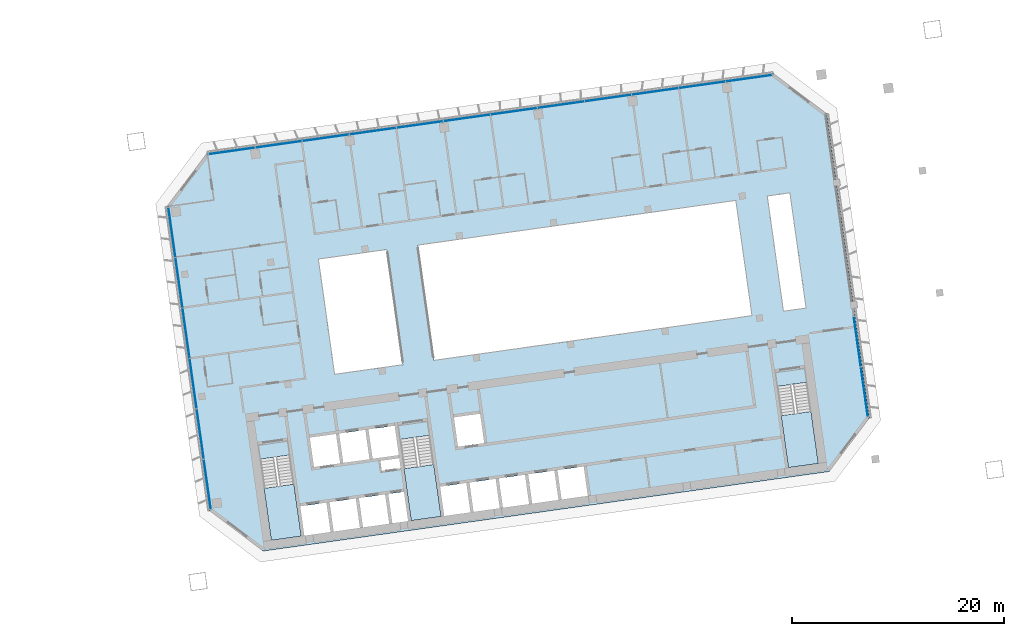
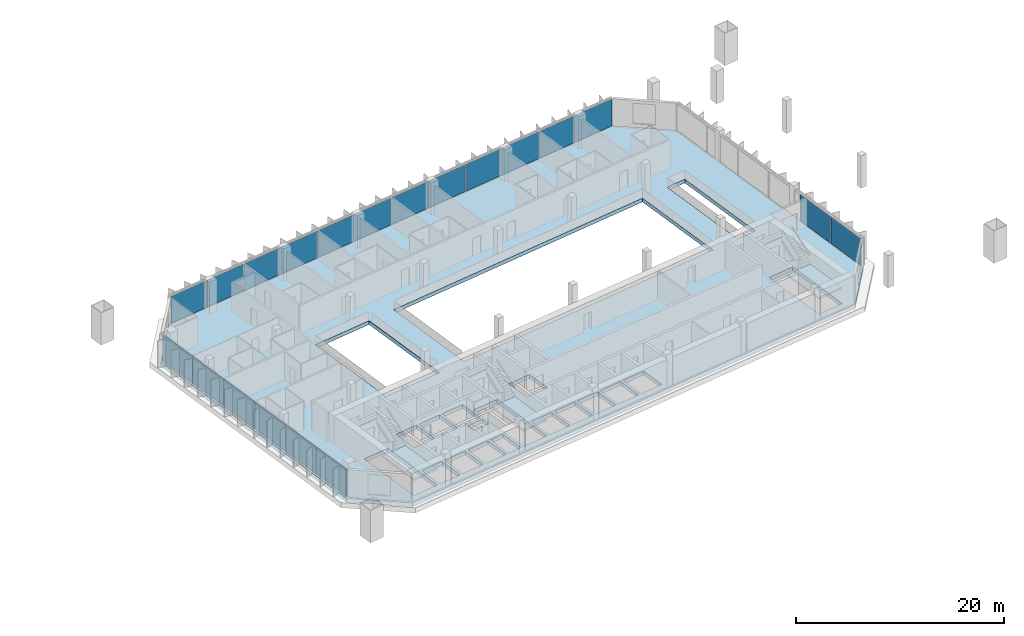
# One storey, part 14 of 26: 20 plates, 4 slabs, 6 elements without a shape of their own.
"""IFC4 building model written with IfcOpenShell, lengths in metres."""

import ifcopenshell
import ifcopenshell.guid

model = None  # the IFC model being written
_history = None  # IfcOwnerHistory: only IFC2X3 demands one
_inside = {}  # id of a spatial element -> (the spatial element, [elements in it])
_under = {}  # id of a project, library or spatial element -> (it, [spatial elements below it])
_declared = {}  # id of a project -> (the project, [libraries it declares])
_typed = {}  # id of a type object -> (the type object, [elements of that type])
_made_of = {}  # id of a material, layer set ... -> (it, [elements and type objects made of it])


def new_model(schema):
    """Start an empty IFC model of exactly this schema.

    Asked for "IFC4X3", IfcOpenShell would pick the latest addendum, in which some entities
    have other attributes; the version numbers below select the first issue.
    IFC2X3 requires an IfcOwnerHistory on every rooted entity: one is made here for all.
    """
    global model, _history
    if schema == "IFC4X3":
        model = ifcopenshell.file(schema_version=(4, 3, 0, 0))
    else:
        model = ifcopenshell.file(schema=schema)
    _inside.clear()
    _under.clear()
    _declared.clear()
    _typed.clear()
    _made_of.clear()
    _history = None
    if model.schema == "IFC2X3":
        org = make("IfcOrganization", Name="unknown")
        user = make(
            "IfcPersonAndOrganization",
            ThePerson=make("IfcPerson", FamilyName="unknown"),
            TheOrganization=org,
        )
        app = make(
            "IfcApplication",
            ApplicationDeveloper=org,
            Version="unknown",
            ApplicationFullName="unknown",
            ApplicationIdentifier="unknown",
        )
        _history = make(
            "IfcOwnerHistory",
            OwningUser=user,
            OwningApplication=app,
            ChangeAction="ADDED",
            CreationDate=0,
        )
    return model


def make(cls, **values):
    """One entity of the class cls with the attributes given. An attribute that is None is left unset."""
    return model.create_entity(
        cls, **{name: value for name, value in values.items() if value is not None}
    )


def rooted(cls, **values):
    """An entity with a GlobalId (a new one), such as an element, a storey or a relation."""
    return make(cls, GlobalId=ifcopenshell.guid.new(), OwnerHistory=_history, **values)


def si_unit(unit_type, name, prefix=None):
    """IfcSIUnit, for example si_unit("LENGTHUNIT", "METRE", prefix="MILLI")."""
    return make("IfcSIUnit", UnitType=unit_type, Prefix=prefix, Name=name)


def assignment(units):
    """IfcUnitAssignment: the units of a project."""
    return None if units is None else make("IfcUnitAssignment", Units=units)


def point(xyz):
    """IfcCartesianPoint."""
    return None if xyz is None else make("IfcCartesianPoint", Coordinates=xyz)


def direction(xyz):
    """IfcDirection."""
    return None if xyz is None else make("IfcDirection", DirectionRatios=xyz)


def frame(location, z_axis=None, x_axis=None):
    """IfcAxis2Placement3D, a coordinate frame: its origin and axes. An axis left out is left unset."""
    return make(
        "IfcAxis2Placement3D",
        Location=point(location),
        Axis=direction(z_axis),
        RefDirection=direction(x_axis),
    )


def frame_2d(location, x_axis=None):
    """IfcAxis2Placement2D, a coordinate frame in the plane: its origin and x axis."""
    return make(
        "IfcAxis2Placement2D", Location=point(location), RefDirection=direction(x_axis)
    )


def origin():
    """The frame at (0, 0, 0) with its axes left unset."""
    return frame((0.0, 0.0, 0.0))


def origin_2d():
    """The frame at (0, 0) in the plane with its x axis left unset."""
    return frame_2d((0.0, 0.0))


def place(relative_to, where):
    """IfcLocalPlacement: puts the frame where relative to a parent placement (None: the world)."""
    return make(
        "IfcLocalPlacement", PlacementRelTo=relative_to, RelativePlacement=where
    )


def context(
    kind, dimensions, precision=None, world=None, true_north=None, identifier=None
):
    """IfcGeometricRepresentationContext, for example the 3D "Model" context."""
    return make(
        "IfcGeometricRepresentationContext",
        ContextIdentifier=identifier,
        ContextType=kind,
        CoordinateSpaceDimension=dimensions,
        Precision=precision,
        WorldCoordinateSystem=world,
        TrueNorth=true_north,
    )


def subcontext(parent, identifier, kind, view, scale=None):
    """IfcGeometricRepresentationSubContext, for example "Body" below "Model"."""
    return make(
        "IfcGeometricRepresentationSubContext",
        ContextIdentifier=identifier,
        ContextType=kind,
        ParentContext=parent,
        TargetScale=scale,
        TargetView=view,
    )


def project(units=None, contexts=None):
    """IfcProject with its units and contexts."""
    return rooted(
        "IfcProject",
        Name="project",
        RepresentationContexts=contexts,
        UnitsInContext=assignment(units),
    )


def spatial(cls, under=None, at=None, **own):
    """A site, building, storey or space (cls), placed at a placement, below another one or the project."""
    s = rooted(cls, ObjectPlacement=at, **own)
    if under is not None:
        _under.setdefault(under.id(), (under, []))[1].append(s)
    return s


def polyline(points):
    """IfcPolyline through the points."""
    return make("IfcPolyline", Points=[point(p) for p in points])


def profile(cls, at=None, kind="AREA", **sizes):
    """A parametric profile (cls). Its sizes go by their IFC names, for example OverallWidth=200.0."""
    return make(cls, ProfileType=kind, Position=at, **sizes)


def rectangle(**sizes):
    """IfcRectangleProfileDef."""
    return profile("IfcRectangleProfileDef", **sizes)


def outline(outer, holes=None, kind="AREA"):
    """IfcArbitraryClosedProfileDef: a profile drawn as a closed curve; with holes, ...WithVoids."""
    if holes is None:
        return make("IfcArbitraryClosedProfileDef", ProfileType=kind, OuterCurve=outer)
    return make(
        "IfcArbitraryProfileDefWithVoids",
        ProfileType=kind,
        OuterCurve=outer,
        InnerCurves=holes,
    )


def extrude(swept, where, along, depth):
    """IfcExtrudedAreaSolid: the profile swept, set in the frame where, extruded along a direction by depth."""
    return make(
        "IfcExtrudedAreaSolid",
        SweptArea=swept,
        Position=where,
        ExtrudedDirection=direction(along),
        Depth=depth,
    )


def shape(context_of_items, identifier, shape_type, items):
    """IfcShapeRepresentation: the items that make up one representation, for example the "Body"."""
    return make(
        "IfcShapeRepresentation",
        ContextOfItems=context_of_items,
        RepresentationIdentifier=identifier,
        RepresentationType=shape_type,
        Items=items,
    )


def material(Name=None, Category=None):
    """IfcMaterial."""
    return make("IfcMaterial", Name=Name, Category=Category)


def layer(
    of_material, thickness, ventilated=None, Name=None, Category=None, Priority=None
):
    """IfcMaterialLayer: one layer of a wall or slab, of a material (None: an air gap)."""
    return make(
        "IfcMaterialLayer",
        Material=of_material,
        LayerThickness=thickness,
        IsVentilated=ventilated,
        Name=Name,
        Category=Category,
        Priority=Priority,
    )


def layer_set(layers, Name=None):
    """IfcMaterialLayerSet."""
    return make("IfcMaterialLayerSet", MaterialLayers=layers, LayerSetName=Name)


def made_of(thing, what):
    """Note that an element or type object is made of a material, layer set ...; save() writes the relation."""
    if what is not None:
        _made_of.setdefault(what.id(), (what, []))[1].append(thing)
    return thing


def type_object(cls, material=None, **own):
    """A type object (cls), such as IfcWallType, which elements share."""
    return made_of(rooted(cls, **own), material)


def element(
    cls,
    number,
    at=None,
    inside=None,
    cuts=None,
    type_object=None,
    material=None,
    context=None,
    identifier="Body",
    shape_type=None,
    held_by="IfcProductDefinitionShape",
    body=None,
    shapes=None,
    **own,
):
    """One element of the class cls, such as IfcWall. Its Tag is "e" and its number.

    at: its placement. inside: the storey or other place that contains it. cuts: it is an
    opening in that element (IfcRelVoidsElement). A single representation is given by context,
    identifier, shape_type and body (its items); several are given by shapes. held_by: the class
    of the entity that holds the representations. save() writes the other relations.
    """
    e = rooted(cls, Tag="e%d" % number, ObjectPlacement=at, **own)
    if body is not None:
        shapes = [shape(context, identifier, shape_type, body)]
    if shapes is not None:
        e.Representation = make(held_by, Representations=shapes)
    if inside is not None:
        _inside.setdefault(inside.id(), (inside, []))[1].append(e)
    if cuts is not None:
        rooted(
            "IfcRelVoidsElement", RelatingBuildingElement=cuts, RelatedOpeningElement=e
        )
    if type_object is not None:
        _typed.setdefault(type_object.id(), (type_object, []))[1].append(e)
    return made_of(e, material)


def aggregate(whole, parts):
    """IfcRelAggregates: a whole, such as a stair, and the parts it consists of."""
    return rooted("IfcRelAggregates", RelatingObject=whole, RelatedObjects=parts)


def save(model, path):
    """Write the relations noted so far, then the file.

    IfcRelAggregates (storeys below a building ...), IfcRelContainedInSpatialStructure (elements
    in a storey), IfcRelDefinesByType, IfcRelAssociatesMaterial and IfcRelDeclares: one each for
    every whole, place, type object, material and project.
    """
    for whole, parts in _under.values():
        aggregate(whole, parts)
    for where, things in _inside.values():
        rooted(
            "IfcRelContainedInSpatialStructure",
            RelatedElements=things,
            RelatingStructure=where,
        )
    for kind, things in _typed.values():
        rooted("IfcRelDefinesByType", RelatedObjects=things, RelatingType=kind)
    for what, things in _made_of.values():
        rooted("IfcRelAssociatesMaterial", RelatedObjects=things, RelatingMaterial=what)
    for by, libraries in _declared.values():
        rooted("IfcRelDeclares", RelatingContext=by, RelatedDefinitions=libraries)
    model.write(path)


model = new_model("IFC4")

# Units and contexts
model_context = context("Model", 3, precision=1e-05, world=origin(), true_north=direction((0.0, 1.0)))
body_context = subcontext(model_context, "Body", "Model", "MODEL_VIEW")
ifc_project = project(units=[si_unit("LENGTHUNIT", "METRE"), si_unit("AREAUNIT", "SQUARE_METRE"), si_unit("VOLUMEUNIT", "CUBIC_METRE"), si_unit("PLANEANGLEUNIT", "RADIAN"), si_unit("MASSUNIT", "GRAM", prefix="KILO")], contexts=[model_context])

# Site, building, storey
site_placement = place(None, origin())
site = spatial("IfcSite", under=ifc_project, at=site_placement, CompositionType="ELEMENT")
building_placement = place(site_placement, origin())
building = spatial("IfcBuilding", under=site, at=building_placement, Name="Mirante Cascada Hotel Towers", CompositionType="ELEMENT")
storey_placement = place(building_placement, frame((0.0, 0.0, 98.7)))
storey = spatial("IfcBuildingStorey", under=building, at=storey_placement, Name="L21", CompositionType="ELEMENT", Elevation=98.7)

# Curtain wall, plates
ifc_material_1 = material(Name="Aluminium mullion and transom frame with clear laminated glass", Category="aluminium")
curtain_wall_type_1 = type_object("IfcCurtainWallType", Name="Ribbon curtain wall ECW1", PredefinedType="NOTDEFINED", material=ifc_material_1)
curtain_wall_1_placement = place(storey_placement, origin())
curtain_wall_1 = element("IfcCurtainWall", 1, at=curtain_wall_1_placement, inside=storey, type_object=curtain_wall_type_1, Name="Front ribbon wall T2 L21", PredefinedType="NOTDEFINED")
ifc_material_2 = material(Name="Clear laminated glass", Category="glass")
ifc_layer_1 = layer(ifc_material_2, 0.036)
ifc_layer_set_1 = layer_set([ifc_layer_1], Name="ECW1 glass panel 36")
plate_type_1 = type_object("IfcPlateType", Name="ECW1 glass panel 36", PredefinedType="CURTAIN_PANEL", material=ifc_layer_set_1)
plate_1_placement = place(storey_placement, frame((83.0067, 24.4849, 0.1), z_axis=(0.0, 0.0, 1.0), x_axis=(-0.9902681, -0.1391731, 0.0)))
plate_1 = element("IfcPlate", 2, at=plate_1_placement, type_object=plate_type_1, Name="ECW1 panel 1", PredefinedType="CURTAIN_PANEL", context=body_context, shape_type="SweptSolid", body=[
    extrude(rectangle(XDim=4.3921, YDim=0.036, at=origin_2d()), origin(), (0.0, 0.0, 1.0), 3.15),
])
plate_2_placement = place(storey_placement, frame((78.5768, 23.8623, 0.1), z_axis=(0.0, 0.0, 1.0), x_axis=(-0.9902681, -0.1391731, 0.0)))
plate_2 = element("IfcPlate", 3, at=plate_2_placement, type_object=plate_type_1, Name="ECW1 panel 2", PredefinedType="CURTAIN_PANEL", context=body_context, shape_type="SweptSolid", body=[
    extrude(rectangle(XDim=4.4246, YDim=0.036, at=origin_2d()), origin(), (0.0, 0.0, 1.0), 3.15),
])
plate_3_placement = place(storey_placement, frame((74.1309, 23.2374, 0.1), z_axis=(0.0, 0.0, 1.0), x_axis=(-0.9902681, -0.1391731, 0.0)))
plate_3 = element("IfcPlate", 4, at=plate_3_placement, type_object=plate_type_1, Name="ECW1 panel 3", PredefinedType="CURTAIN_PANEL", context=body_context, shape_type="SweptSolid", body=[
    extrude(rectangle(XDim=4.4246, YDim=0.036, at=origin_2d()), origin(), (0.0, 0.0, 1.0), 3.15),
])
plate_4_placement = place(storey_placement, frame((69.6849, 22.6126, 0.1), z_axis=(0.0, 0.0, 1.0), x_axis=(-0.9902681, -0.1391731, 0.0)))
plate_4 = element("IfcPlate", 5, at=plate_4_placement, type_object=plate_type_1, Name="ECW1 panel 4", PredefinedType="CURTAIN_PANEL", context=body_context, shape_type="SweptSolid", body=[
    extrude(rectangle(XDim=4.4246, YDim=0.036, at=origin_2d()), origin(), (0.0, 0.0, 1.0), 3.15),
])
plate_5_placement = place(storey_placement, frame((65.239, 21.9878, 0.1), z_axis=(0.0, 0.0, 1.0), x_axis=(-0.9902681, -0.1391731, 0.0)))
plate_5 = element("IfcPlate", 6, at=plate_5_placement, type_object=plate_type_1, Name="ECW1 panel 5", PredefinedType="CURTAIN_PANEL", context=body_context, shape_type="SweptSolid", body=[
    extrude(rectangle(XDim=4.4246, YDim=0.036, at=origin_2d()), origin(), (0.0, 0.0, 1.0), 3.15),
])
plate_6_placement = place(storey_placement, frame((60.793, 21.3629, 0.1), z_axis=(0.0, 0.0, 1.0), x_axis=(-0.9902681, -0.1391731, 0.0)))
plate_6 = element("IfcPlate", 7, at=plate_6_placement, type_object=plate_type_1, Name="ECW1 panel 6", PredefinedType="CURTAIN_PANEL", context=body_context, shape_type="SweptSolid", body=[
    extrude(rectangle(XDim=4.4246, YDim=0.036, at=origin_2d()), origin(), (0.0, 0.0, 1.0), 3.15),
])
plate_7_placement = place(storey_placement, frame((56.3471, 20.7381, 0.1), z_axis=(0.0, 0.0, 1.0), x_axis=(-0.9902681, -0.1391731, 0.0)))
plate_7 = element("IfcPlate", 8, at=plate_7_placement, type_object=plate_type_1, Name="ECW1 panel 7", PredefinedType="CURTAIN_PANEL", context=body_context, shape_type="SweptSolid", body=[
    extrude(rectangle(XDim=4.4246, YDim=0.036, at=origin_2d()), origin(), (0.0, 0.0, 1.0), 3.15),
])
plate_8_placement = place(storey_placement, frame((51.9011, 20.1132, 0.1), z_axis=(0.0, 0.0, 1.0), x_axis=(-0.9902681, -0.1391731, 0.0)))
plate_8 = element("IfcPlate", 9, at=plate_8_placement, type_object=plate_type_1, Name="ECW1 panel 8", PredefinedType="CURTAIN_PANEL", context=body_context, shape_type="SweptSolid", body=[
    extrude(rectangle(XDim=4.4246, YDim=0.036, at=origin_2d()), origin(), (0.0, 0.0, 1.0), 3.15),
])
plate_9_placement = place(storey_placement, frame((47.4552, 19.4884, 0.1), z_axis=(0.0, 0.0, 1.0), x_axis=(-0.9902681, -0.1391731, 0.0)))
plate_9 = element("IfcPlate", 10, at=plate_9_placement, type_object=plate_type_1, Name="ECW1 panel 9", PredefinedType="CURTAIN_PANEL", context=body_context, shape_type="SweptSolid", body=[
    extrude(rectangle(XDim=4.4246, YDim=0.036, at=origin_2d()), origin(), (0.0, 0.0, 1.0), 3.15),
])
plate_10_placement = place(storey_placement, frame((43.0092, 18.8636, 0.1), z_axis=(0.0, 0.0, 1.0), x_axis=(-0.9902681, -0.1391731, 0.0)))
plate_10 = element("IfcPlate", 11, at=plate_10_placement, type_object=plate_type_1, Name="ECW1 panel 10", PredefinedType="CURTAIN_PANEL", context=body_context, shape_type="SweptSolid", body=[
    extrude(rectangle(XDim=4.4246, YDim=0.036, at=origin_2d()), origin(), (0.0, 0.0, 1.0), 3.15),
])
plate_11_placement = place(storey_placement, frame((38.5632, 18.2387, 0.1), z_axis=(0.0, 0.0, 1.0), x_axis=(-0.9902681, -0.1391731, 0.0)))
plate_11 = element("IfcPlate", 12, at=plate_11_placement, type_object=plate_type_1, Name="ECW1 panel 11", PredefinedType="CURTAIN_PANEL", context=body_context, shape_type="SweptSolid", body=[
    extrude(rectangle(XDim=4.4246, YDim=0.036, at=origin_2d()), origin(), (0.0, 0.0, 1.0), 3.15),
])
plate_12_placement = place(storey_placement, frame((34.1334, 17.6162, 0.1), z_axis=(0.0, 0.0, 1.0), x_axis=(-0.9902681, -0.1391731, 0.0)))
plate_12 = element("IfcPlate", 13, at=plate_12_placement, type_object=plate_type_1, Name="ECW1 panel 12", PredefinedType="CURTAIN_PANEL", context=body_context, shape_type="SweptSolid", body=[
    extrude(rectangle(XDim=4.3921, YDim=0.036, at=origin_2d()), origin(), (0.0, 0.0, 1.0), 3.15),
])
aggregate(curtain_wall_1, [plate_1, plate_2, plate_3, plate_4, plate_5, plate_6, plate_7, plate_8, plate_9, plate_10, plate_11, plate_12])

ifc_material_3 = material(Name="Aluminium mullion and transom frame with clear laminated glass", Category="aluminium")
curtain_wall_type_2 = type_object("IfcCurtainWallType", Name="End ribbon curtain wall ECW2", PredefinedType="NOTDEFINED", material=ifc_material_3)
curtain_wall_2_placement = place(storey_placement, origin())
curtain_wall_2 = element("IfcCurtainWall", 14, at=curtain_wall_2_placement, inside=storey, type_object=curtain_wall_type_2, Name="Inner end wall T2 L21", PredefinedType="NOTDEFINED")
ifc_material_4 = material(Name="Clear laminated glass", Category="glass")
ifc_layer_2 = layer(ifc_material_4, 0.034)
ifc_layer_set_2 = layer_set([ifc_layer_2], Name="ECW2 glass panel 34")
plate_type_2 = type_object("IfcPlateType", Name="ECW2 glass panel 34", PredefinedType="CURTAIN_PANEL", material=ifc_layer_set_2)
plate_13_placement = place(storey_placement, frame((28.4763, 9.9193, 0.1), z_axis=(0.0, 0.0, 1.0), x_axis=(0.1391731, -0.9902681, 0.0)))
plate_13 = element("IfcPlate", 15, at=plate_13_placement, type_object=plate_type_2, Name="ECW2 panel 1", PredefinedType="CURTAIN_PANEL", context=body_context, shape_type="SweptSolid", body=[
    extrude(rectangle(XDim=4.7151, YDim=0.034, at=origin_2d()), origin(), (0.0, 0.0, 1.0), 3.15),
])
plate_14_placement = place(storey_placement, frame((29.1439, 5.1696, 0.1), z_axis=(0.0, 0.0, 1.0), x_axis=(0.1391731, -0.9902681, 0.0)))
plate_14 = element("IfcPlate", 16, at=plate_14_placement, type_object=plate_type_2, Name="ECW2 panel 2", PredefinedType="CURTAIN_PANEL", context=body_context, shape_type="SweptSolid", body=[
    extrude(rectangle(XDim=4.7476, YDim=0.034, at=origin_2d()), origin(), (0.0, 0.0, 1.0), 3.15),
])
plate_15_placement = place(storey_placement, frame((29.8136, 0.4038, 0.1), z_axis=(0.0, 0.0, 1.0), x_axis=(0.1391731, -0.9902681, 0.0)))
plate_15 = element("IfcPlate", 17, at=plate_15_placement, type_object=plate_type_2, Name="ECW2 panel 3", PredefinedType="CURTAIN_PANEL", context=body_context, shape_type="SweptSolid", body=[
    extrude(rectangle(XDim=4.7476, YDim=0.034, at=origin_2d()), origin(), (0.0, 0.0, 1.0), 3.15),
])
plate_16_placement = place(storey_placement, frame((30.4834, -4.362, 0.1), z_axis=(0.0, 0.0, 1.0), x_axis=(0.1391731, -0.9902681, 0.0)))
plate_16 = element("IfcPlate", 18, at=plate_16_placement, type_object=plate_type_2, Name="ECW2 panel 4", PredefinedType="CURTAIN_PANEL", context=body_context, shape_type="SweptSolid", body=[
    extrude(rectangle(XDim=4.7476, YDim=0.034, at=origin_2d()), origin(), (0.0, 0.0, 1.0), 3.15),
])
plate_17_placement = place(storey_placement, frame((31.1532, -9.1278, 0.1), z_axis=(0.0, 0.0, 1.0), x_axis=(0.1391731, -0.9902681, 0.0)))
plate_17 = element("IfcPlate", 19, at=plate_17_placement, type_object=plate_type_2, Name="ECW2 panel 5", PredefinedType="CURTAIN_PANEL", context=body_context, shape_type="SweptSolid", body=[
    extrude(rectangle(XDim=4.7476, YDim=0.034, at=origin_2d()), origin(), (0.0, 0.0, 1.0), 3.15),
])
plate_18_placement = place(storey_placement, frame((31.8207, -13.8775, 0.1), z_axis=(0.0, 0.0, 1.0), x_axis=(0.1391731, -0.9902681, 0.0)))
plate_18 = element("IfcPlate", 20, at=plate_18_placement, type_object=plate_type_2, Name="ECW2 panel 6", PredefinedType="CURTAIN_PANEL", context=body_context, shape_type="SweptSolid", body=[
    extrude(rectangle(XDim=4.7151, YDim=0.034, at=origin_2d()), origin(), (0.0, 0.0, 1.0), 3.15),
])
aggregate(curtain_wall_2, [plate_13, plate_14, plate_15, plate_16, plate_17, plate_18])

curtain_wall_3_placement = place(storey_placement, origin())
curtain_wall_3 = element("IfcCurtainWall", 21, at=curtain_wall_3_placement, inside=storey, type_object=curtain_wall_type_2, Name="Outer end wall T2 L21", PredefinedType="NOTDEFINED")
plate_19_placement = place(storey_placement, frame((93.9106, -5.1513, 0.1), z_axis=(0.0, 0.0, 1.0), x_axis=(-0.1391731, 0.9902681, 0.0)))
plate_19 = element("IfcPlate", 22, at=plate_19_placement, type_object=plate_type_2, Name="ECW2 panel 1", PredefinedType="CURTAIN_PANEL", context=body_context, shape_type="SweptSolid", body=[
    extrude(rectangle(XDim=4.7151, YDim=0.034, at=origin_2d()), origin(), (0.0, 0.0, 1.0), 3.15),
])
plate_20_placement = place(storey_placement, frame((93.243, -0.4017, 0.1), z_axis=(0.0, 0.0, 1.0), x_axis=(-0.1391731, 0.9902681, 0.0)))
plate_20 = element("IfcPlate", 23, at=plate_20_placement, type_object=plate_type_2, Name="ECW2 panel 2", PredefinedType="CURTAIN_PANEL", context=body_context, shape_type="SweptSolid", body=[
    extrude(rectangle(XDim=4.7476, YDim=0.034, at=origin_2d()), origin(), (0.0, 0.0, 1.0), 3.15),
])
aggregate(curtain_wall_3, [plate_19, plate_20])

# Stair, slab
ifc_material_5 = material(Name="Concrete C35/45", Category="concrete")
stair_type = type_object("IfcStairType", Name="Exit stair half-turn 1350 concrete C35/45", PredefinedType="HALF_TURN_STAIR", material=ifc_material_5)
stair_1_placement = place(storey_placement, origin())
stair_1 = element("IfcStair", 24, at=stair_1_placement, inside=storey, type_object=stair_type, Name="L21 Exit stair A", PredefinedType="HALF_TURN_STAIR")
ifc_material_6 = material(Name="Concrete C35/45", Category="concrete")
ifc_layer_3 = layer(ifc_material_6, 0.2)
ifc_layer_set_3 = layer_set([ifc_layer_3], Name="Exit stair landing 200 concrete C35/45")
slab_type_1 = type_object("IfcSlabType", Name="Exit stair landing 200 concrete C35/45", PredefinedType="LANDING", material=ifc_layer_set_3)
slab_1_placement = place(storey_placement, frame((0.0, 0.0, 1.7)))
slab_1 = element("IfcSlab", 25, at=slab_1_placement, type_object=slab_type_1, Name="ST2-A landing 1", PredefinedType="LANDING", context=body_context, shape_type="SweptSolid", body=[
    extrude(outline(polyline([(37.1765, -14.2626), (37.8665, -19.1723), (40.6887, -18.7757), (39.9987, -13.8659), (37.1765, -14.2626)])), origin(), (0.0, 0.0, 1.0), 0.2),
])
aggregate(stair_1, [slab_1])

stair_2_placement = place(storey_placement, origin())
stair_2 = element("IfcStair", 26, at=stair_2_placement, inside=storey, type_object=stair_type, Name="L21 Exit stair B", PredefinedType="HALF_TURN_STAIR")
slab_2_placement = place(storey_placement, frame((0.0, 0.0, 1.7)))
slab_2 = element("IfcSlab", 27, at=slab_2_placement, type_object=slab_type_1, Name="ST2-B landing 1", PredefinedType="LANDING", context=body_context, shape_type="SweptSolid", body=[
    extrude(outline(polyline([(50.3965, -12.4046), (51.0866, -17.3144), (53.9088, -16.9177), (53.2188, -12.008), (50.3965, -12.4046)])), origin(), (0.0, 0.0, 1.0), 0.2),
])
aggregate(stair_2, [slab_2])

stair_3_placement = place(storey_placement, origin())
stair_3 = element("IfcStair", 28, at=stair_3_placement, inside=storey, type_object=stair_type, Name="L21 Exit stair C", PredefinedType="HALF_TURN_STAIR")
slab_3_placement = place(storey_placement, frame((0.0, 0.0, 1.7)))
slab_3 = element("IfcSlab", 29, at=slab_3_placement, type_object=slab_type_1, Name="ST2-C landing 1", PredefinedType="LANDING", context=body_context, shape_type="SweptSolid", body=[
    extrude(outline(polyline([(86.0462, -7.3944), (86.7362, -12.3041), (89.5585, -11.9075), (88.8685, -6.9977), (86.0462, -7.3944)])), origin(), (0.0, 0.0, 1.0), 0.2),
])
aggregate(stair_3, [slab_3])

# Slab
ifc_material_7 = material(Name="Concrete C40/50", Category="concrete")
ifc_layer_4 = layer(ifc_material_7, 0.45)
ifc_layer_set_4 = layer_set([ifc_layer_4], Name="Post-tensioned flat plate 450 Concrete C40/50")
slab_type_2 = type_object("IfcSlabType", Name="Post-tensioned flat plate 450 Concrete C40/50", PredefinedType="FLOOR", material=ifc_layer_set_4)
slab_4_placement = place(storey_placement, frame((0.0, 0.0, -0.45)))
element("IfcSlab", 30, at=slab_4_placement, inside=storey, type_object=slab_type_2, Name="Floor T2 L21", PredefinedType="FLOOR", context=body_context, shape_type="SweptSolid", body=[
    extrude(outline(polyline([(32.018, -16.3589), (27.982, 12.3589), (31.8119, 17.4414), (85.2864, 24.9567), (90.3689, 21.1268), (94.4049, -7.591), (90.575, -12.6735), (37.1005, -20.1888), (32.018, -16.3589)]), holes=[polyline([(43.0718, -15.6132), (40.5961, -15.9612), (40.9858, -18.7339), (43.4615, -18.386), (43.0718, -15.6132)]), polyline([(45.8446, -15.2236), (43.3689, -15.5715), (43.7586, -18.3442), (46.2342, -17.9963), (45.8446, -15.2236)]), polyline([(48.6173, -14.8339), (46.1416, -15.1818), (46.5313, -17.9546), (49.007, -17.6066), (48.6173, -14.8339)]), polyline([(50.3998, -14.5834), (48.9144, -14.7921), (49.3041, -17.5649), (50.7895, -17.3561), (50.3998, -14.5834)]), polyline([(37.8665, -19.1723), (40.6887, -18.7757), (39.611, -11.107), (36.7887, -11.5037), (37.8665, -19.1723)]), polyline([(49.9544, -11.4145), (48.1472, -11.6685), (48.2829, -12.634), (50.0901, -12.38), (49.9544, -11.4145)]), polyline([(43.9775, -9.124), (41.5018, -9.472), (41.8915, -12.2447), (44.3672, -11.8968), (43.9775, -9.124)]), polyline([(47.1399, -11.5071), (46.7503, -8.7344), (44.2746, -9.0823), (44.6643, -11.855), (47.1399, -11.5071)]), polyline([(49.9127, -11.1174), (49.523, -8.3447), (47.0473, -8.6926), (47.437, -11.4654), (49.9127, -11.1174)]), polyline([(56.2919, -13.7553), (53.8162, -14.1032), (54.2059, -16.876), (56.6816, -16.528), (56.2919, -13.7553)]), polyline([(59.0646, -13.3656), (56.589, -13.7135), (56.9787, -16.4863), (59.4543, -16.1383), (59.0646, -13.3656)]), polyline([(61.8374, -12.9759), (59.3617, -13.3238), (59.7514, -16.0966), (62.2271, -15.7487), (61.8374, -12.9759)]), polyline([(64.6101, -12.5862), (62.1345, -12.9342), (62.5242, -15.7069), (64.9998, -15.359), (64.6101, -12.5862)]), polyline([(67.3829, -12.1965), (64.9072, -12.5445), (65.2969, -15.3172), (67.7726, -14.9693), (67.3829, -12.1965)]), polyline([(51.0866, -17.3144), (53.9088, -16.9177), (52.8311, -9.2491), (50.0088, -9.6457), (51.0866, -17.3144)]), polyline([(86.7362, -12.3041), (89.5585, -11.9075), (88.4807, -4.2388), (85.6585, -4.6355), (86.7362, -12.3041)]), polyline([(57.9834, -9.9832), (57.5937, -7.2104), (55.118, -7.5583), (55.5077, -10.3311), (57.9834, -9.9832)]), polyline([(86.873, 13.6677), (88.4039, 2.7747), (86.2634, 2.4739), (86.2634, 2.4739), (84.7325, 13.3668), (84.7325, 13.3668), (86.873, 13.6677)]), polyline([(81.7597, 12.949), (81.7597, 12.949), (83.2906, 2.0561), (83.2906, 2.0561), (53.2627, -2.1641), (53.2627, -2.1641), (51.7318, 8.7289), (81.7597, 12.949)]), polyline([(43.8418, -3.4881), (42.3109, 7.4049), (48.759, 8.3111), (50.2899, -2.5818), (50.2899, -2.5818), (43.8418, -3.4881)])]), origin(), (0.0, 0.0, 1.0), 0.45),
])

save(model, "model.ifc")
